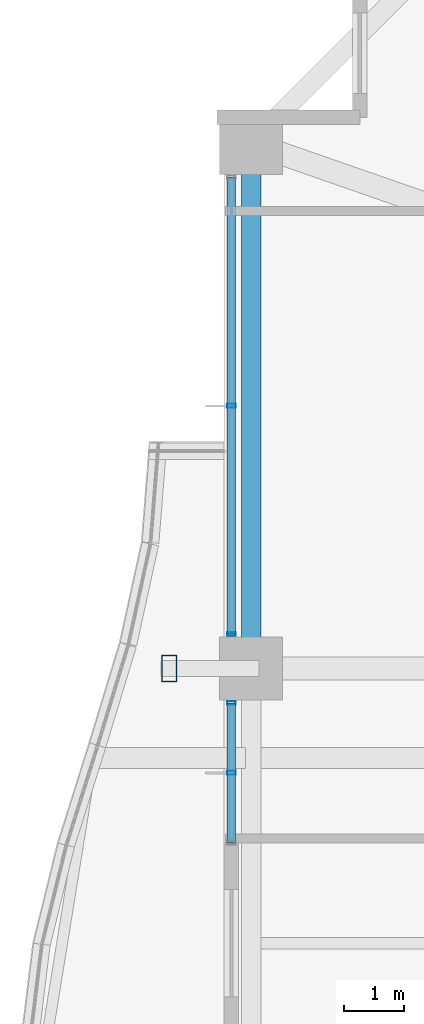
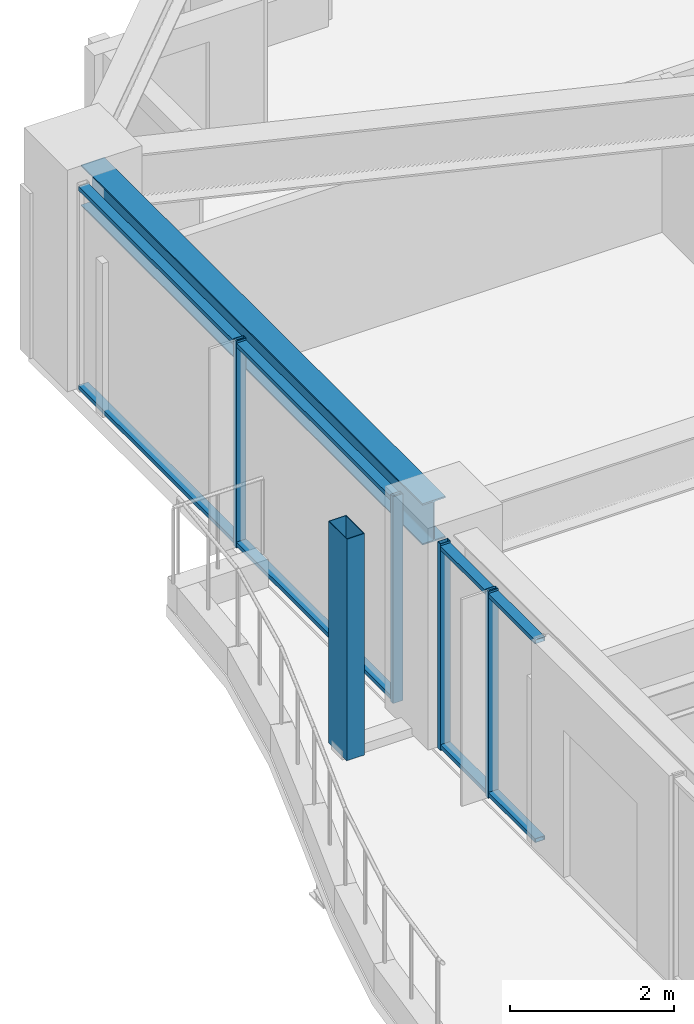
# One storey, part 9 of 37: 9 members, 1 beam, 2 elements without a shape of their own.
"""IFC4 building model written with IfcOpenShell, lengths in metres."""

from ifc_helpers import new_model, si_unit, direction, frame, origin, origin_2d, place, context, subcontext, project, spatial, hollow_rectangle, i_section, extrude, material, material_profile, profile_set, type_object, element, aggregate, save


model = new_model("IFC4")

# Units and contexts
model_context = context("Model", 3, precision=1e-05, world=origin(), true_north=direction((0.0, 1.0)))
body_context = subcontext(model_context, "Body", "Model", "MODEL_VIEW")
ifc_project = project(units=[si_unit("LENGTHUNIT", "METRE"), si_unit("AREAUNIT", "SQUARE_METRE"), si_unit("VOLUMEUNIT", "CUBIC_METRE"), si_unit("PLANEANGLEUNIT", "RADIAN"), si_unit("MASSUNIT", "GRAM", prefix="KILO")], contexts=[model_context])

# Site, building, storey
site_placement = place(None, origin())
site = spatial("IfcSite", under=ifc_project, at=site_placement, CompositionType="ELEMENT")
building_placement = place(site_placement, origin())
building = spatial("IfcBuilding", under=site, at=building_placement, Name="Kolvaren Belvedere", CompositionType="ELEMENT")
storey_placement = place(building_placement, frame((0.0, 0.0, 75.5)))
storey = spatial("IfcBuildingStorey", under=building, at=storey_placement, Name="L21", CompositionType="ELEMENT", Elevation=75.5)

# Beam
ifc_material_1 = material(Name="Structural steel ASTM A992 Grade 50", Category="steel")
ifc_material_profile_1 = material_profile(ifc_material_1, i_section(OverallWidth=0.324951171875, OverallDepth=0.615966796875, WebThickness=0.013916015625, FlangeThickness=0.021484375, FilletRadius=0.02001953125, at=origin_2d()), Name="W24X117")
ifc_profile_set_1 = profile_set([ifc_material_profile_1], Name="Structural steel ASTM A992 Grade 50")
beam_type = type_object("IfcBeamType", Name="BM-SPAN-W24X117", PredefinedType="SPANDREL", material=ifc_profile_set_1)
beam_placement = place(storey_placement, frame((-19.949951171875, 13.163818359375, 2.77197265625), z_axis=(0.0, -1.0, 0.0), x_axis=(1.0, 0.0, 0.0)))
element("IfcBeam", 1, at=beam_placement, inside=storey, type_object=beam_type, Name="L21 Perimeter Spandrel W4-W3", PredefinedType="SPANDREL", context=body_context, shape_type="SweptSolid", body=[
    extrude(i_section(OverallWidth=0.324951171875, OverallDepth=0.615966796875, WebThickness=0.013916015625, FlangeThickness=0.021484375, FilletRadius=0.02001953125, at=origin_2d()), origin(), (0.0, 0.0, 1.0), 8.32763671875),
])

# Curtain wall, members
ifc_material_2 = material(Name="Anodised pale-metal aluminium AA 6063-T6", Category="aluminium")
curtain_wall_type = type_object("IfcCurtainWallType", Name="CW-Z2-MID", PredefinedType="NOTDEFINED", material=ifc_material_2)
curtain_wall_1_placement = place(storey_placement, origin())
curtain_wall_1 = element("IfcCurtainWall", 2, at=curtain_wall_1_placement, inside=storey, type_object=curtain_wall_type, Name="L21 Unitised Curtain Wall FCW-L21-W2-B1", PredefinedType="NOTDEFINED")
ifc_material_3 = material(Name="Anodised pale-metal aluminium AA 6063-T6", Category="aluminium")
ifc_material_profile_2 = material_profile(ifc_material_3, hollow_rectangle(XDim=0.06494140625, YDim=0.139892578125, WallThickness=0.00390625, at=origin_2d()), Name="ALU-MUL-140X65")
ifc_profile_set_2 = profile_set([ifc_material_profile_2], Name="Anodised pale-metal aluminium AA 6063-T6")
member_type_1 = type_object("IfcMemberType", Name="CW-MUL-140", PredefinedType="MULLION", material=ifc_profile_set_2)
member_1_placement = place(storey_placement, frame((-20.280029296875, 2.851318359375, 0.0), z_axis=(0.0, 0.0, 1.0), x_axis=(0.0, 1.0, 0.0)))
member_1 = element("IfcMember", 3, at=member_1_placement, type_object=member_type_1, Name="FCW-L21-W2-B1 Unitised Mullion 2", PredefinedType="MULLION", context=body_context, shape_type="SweptSolid", body=[
    extrude(hollow_rectangle(XDim=0.06494140625, YDim=0.139892578125, WallThickness=0.00390625, at=origin_2d()), origin(), (0.0, 0.0, 1.0), 3.080078125),
])
member_2_placement = place(storey_placement, frame((-20.280029296875, 4.0224609375, 0.0), z_axis=(0.0, 0.0, 1.0), x_axis=(0.0, 1.0, 0.0)))
member_2 = element("IfcMember", 4, at=member_2_placement, type_object=member_type_1, Name="FCW-L21-W2-B1 Unitised Mullion 3", PredefinedType="MULLION", context=body_context, shape_type="SweptSolid", body=[
    extrude(hollow_rectangle(XDim=0.06494140625, YDim=0.139892578125, WallThickness=0.00390625, at=origin_2d()), origin(), (0.0, 0.0, 1.0), 3.080078125),
])

curtain_wall_2_placement = place(storey_placement, origin())
curtain_wall_2 = element("IfcCurtainWall", 5, at=curtain_wall_2_placement, inside=storey, type_object=curtain_wall_type, Name="L21 Unitised Curtain Wall FCW-L21-W2-B2", PredefinedType="NOTDEFINED")
member_3_placement = place(storey_placement, frame((-20.280029296875, 5.177490234375, 0.0), z_axis=(0.0, 0.0, 1.0), x_axis=(0.0, 1.0, 0.0)))
member_3 = element("IfcMember", 6, at=member_3_placement, type_object=member_type_1, Name="FCW-L21-W2-B2 Unitised Mullion 1", PredefinedType="MULLION", context=body_context, shape_type="SweptSolid", body=[
    extrude(hollow_rectangle(XDim=0.06494140625, YDim=0.139892578125, WallThickness=0.00390625, at=origin_2d()), origin(), (0.0, 0.0, 1.0), 3.080078125),
])
member_4_placement = place(storey_placement, frame((-20.280029296875, 9.0, 0.0), z_axis=(0.0, 0.0, 1.0), x_axis=(0.0, 1.0, 0.0)))
member_4 = element("IfcMember", 7, at=member_4_placement, type_object=member_type_1, Name="FCW-L21-W2-B2 Unitised Mullion 2", PredefinedType="MULLION", context=body_context, shape_type="SweptSolid", body=[
    extrude(hollow_rectangle(XDim=0.06494140625, YDim=0.139892578125, WallThickness=0.00390625, at=origin_2d()), origin(), (0.0, 0.0, 1.0), 3.080078125),
])

# Member
ifc_material_4 = material(Name="Anodised pale-metal aluminium AA 6063-T6", Category="aluminium")
ifc_material_profile_3 = material_profile(ifc_material_4, hollow_rectangle(XDim=0.06005859375, YDim=0.139892578125, WallThickness=0.00390625, at=origin_2d()), Name="ALU-TRN-140X60")
ifc_profile_set_3 = profile_set([ifc_material_profile_3], Name="Anodised pale-metal aluminium AA 6063-T6")
member_type_2 = type_object("IfcMemberType", Name="CW-TRN-140", PredefinedType="USERDEFINED", material=ifc_profile_set_3)
member_5_placement = place(storey_placement, frame((-20.280029296875, 1.679931640625, 0.06005859375), z_axis=(0.0, 1.0, 0.0), x_axis=(0.0, 0.0, 1.0)))
member_5 = element("IfcMember", 8, at=member_5_placement, type_object=member_type_2, Name="FCW-L21-W2-B1 Sill Transom", ObjectType="TRANSOM", PredefinedType="USERDEFINED", context=body_context, shape_type="SweptSolid", body=[
    extrude(hollow_rectangle(XDim=0.06005859375, YDim=0.139892578125, WallThickness=0.00390625, at=origin_2d()), origin(), (0.0, 0.0, 1.0), 2.342529296875),
])

member_6_placement = place(storey_placement, frame((-20.280029296875, 1.679931640625, 3.02001953125), z_axis=(0.0, 1.0, 0.0), x_axis=(0.0, 0.0, 1.0)))
member_6 = element("IfcMember", 9, at=member_6_placement, type_object=member_type_2, Name="FCW-L21-W2-B1 Head Transom", ObjectType="TRANSOM", PredefinedType="USERDEFINED", context=body_context, shape_type="SweptSolid", body=[
    extrude(hollow_rectangle(XDim=0.06005859375, YDim=0.139892578125, WallThickness=0.00390625, at=origin_2d()), origin(), (0.0, 0.0, 1.0), 2.342529296875),
])

aggregate(curtain_wall_1, [member_1, member_2, member_5, member_6])

member_7_placement = place(storey_placement, frame((-20.280029296875, 5.177490234375, 0.06005859375), z_axis=(0.0, 1.0, 0.0), x_axis=(0.0, 0.0, 1.0)))
member_7 = element("IfcMember", 10, at=member_7_placement, type_object=member_type_2, Name="FCW-L21-W2-B2 Sill Transom", ObjectType="TRANSOM", PredefinedType="USERDEFINED", context=body_context, shape_type="SweptSolid", body=[
    extrude(hollow_rectangle(XDim=0.06005859375, YDim=0.139892578125, WallThickness=0.00390625, at=origin_2d()), origin(), (0.0, 0.0, 1.0), 7.64501953125),
])

member_8_placement = place(storey_placement, frame((-20.280029296875, 5.177490234375, 3.02001953125), z_axis=(0.0, 1.0, 0.0), x_axis=(0.0, 0.0, 1.0)))
member_8 = element("IfcMember", 11, at=member_8_placement, type_object=member_type_2, Name="FCW-L21-W2-B2 Head Transom", ObjectType="TRANSOM", PredefinedType="USERDEFINED", context=body_context, shape_type="SweptSolid", body=[
    extrude(hollow_rectangle(XDim=0.06005859375, YDim=0.139892578125, WallThickness=0.00390625, at=origin_2d()), origin(), (0.0, 0.0, 1.0), 7.64501953125),
])

aggregate(curtain_wall_2, [member_3, member_4, member_7, member_8])

ifc_material_5 = material(Name="Anodised pale-metal aluminium AA 6063-T6", Category="aluminium")
ifc_material_profile_4 = material_profile(ifc_material_5, hollow_rectangle(XDim=0.25, YDim=0.449951171875, WallThickness=0.008544921875, at=origin_2d()), Name="ALU-PF-450X250")
ifc_profile_set_4 = profile_set([ifc_material_profile_4], Name="Anodised pale-metal aluminium AA 6063-T6")
member_type_3 = type_object("IfcMemberType", Name="PF-FRAME-450", PredefinedType="USERDEFINED", material=ifc_profile_set_4)
member_9_placement = place(storey_placement, frame((-21.320068359375, 4.60009765625, 0.0), z_axis=(0.0, 0.0, 1.0), x_axis=(1.0, 0.0, 0.0)))
element("IfcMember", 12, at=member_9_placement, inside=storey, type_object=member_type_3, Name="L21 Outboard Picture-Frame Vertical W2", ObjectType="PICTURE FRAME FIN", PredefinedType="USERDEFINED", context=body_context, shape_type="SweptSolid", body=[
    extrude(hollow_rectangle(XDim=0.25, YDim=0.449951171875, WallThickness=0.008544921875, at=origin_2d()), origin(), (0.0, 0.0, 1.0), 3.300048828125),
])

save(model, "model.ifc")
